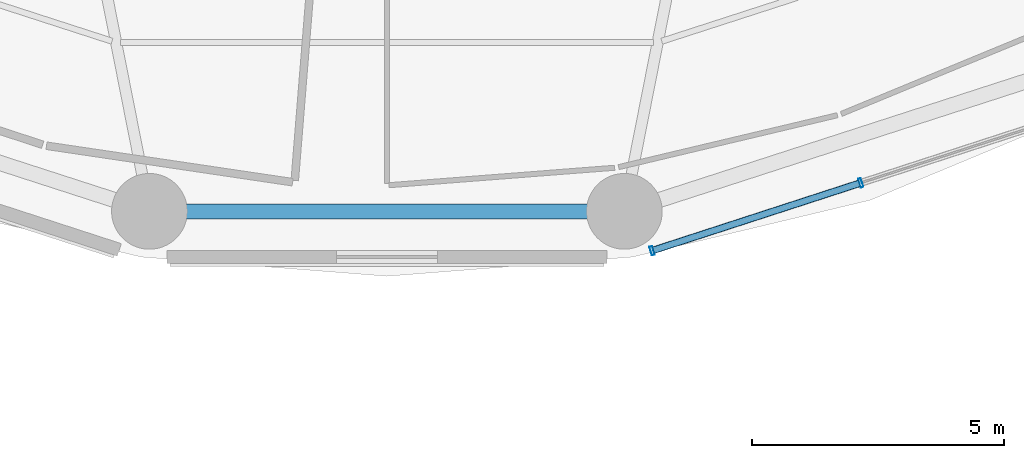
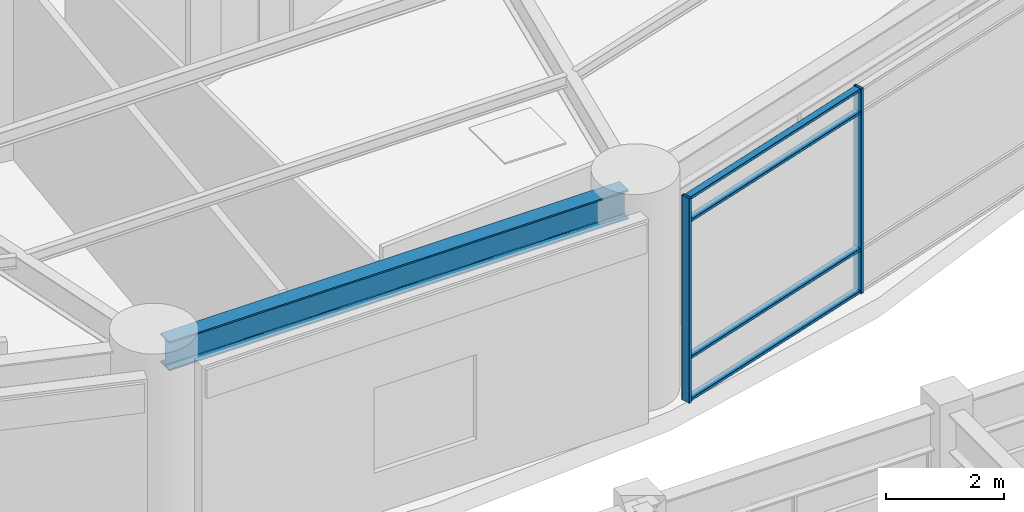
# One storey, part 17 of 46: 6 members, 1 beam, 1 element without a shape of its own.
"""IFC4 building model written with IfcOpenShell, lengths in metres."""

from ifc_helpers import new_model, si_unit, direction, frame, origin, origin_2d, place, context, subcontext, project, spatial, hollow_rectangle, i_section, extrude, material, layer, layer_set, material_profile, profile_set, type_object, element, aggregate, save


model = new_model("IFC4")

# Units and contexts
model_context = context("Model", 3, precision=1e-05, world=origin(), true_north=direction((0.0, 1.0)))
body_context = subcontext(model_context, "Body", "Model", "MODEL_VIEW")
ifc_project = project(units=[si_unit("LENGTHUNIT", "METRE"), si_unit("AREAUNIT", "SQUARE_METRE"), si_unit("VOLUMEUNIT", "CUBIC_METRE"), si_unit("PLANEANGLEUNIT", "RADIAN"), si_unit("MASSUNIT", "GRAM", prefix="KILO")], contexts=[model_context])

# Site, building, storey
site_placement = place(None, origin())
site = spatial("IfcSite", under=ifc_project, at=site_placement, CompositionType="ELEMENT")
building_placement = place(site_placement, origin())
building = spatial("IfcBuilding", under=site, at=building_placement, Name="Kelanora Arch Commons", CompositionType="ELEMENT")
storey_placement = place(building_placement, frame((0.0, 0.0, 18.0)))
storey = spatial("IfcBuildingStorey", under=building, at=storey_placement, Name="L04", CompositionType="ELEMENT", Elevation=18.0)

# Beam
ifc_material_1 = material(Name="Steel S355", Category="steel")
ifc_material_profile_1 = material_profile(ifc_material_1, i_section(OverallWidth=0.300048828125, OverallDepth=0.60009765625, WebThickness=0.015380859375, FlangeThickness=0.030029296875, FilletRadius=0.027099609375, at=origin_2d()), Name="HEB600")
ifc_profile_set_1 = profile_set([ifc_material_profile_1], Name="Steel S355")
beam_type = type_object("IfcBeamType", Name="BM-SPN-Z1", PredefinedType="SPANDREL", material=ifc_profile_set_1)
beam_placement = place(storey_placement, frame((69.517578125, 34.285888671875, 3.93994140625), z_axis=(1.0, 0.0, 0.0), x_axis=(0.0, 1.0, 0.0)))
element("IfcBeam", 1, at=beam_placement, inside=storey, type_object=beam_type, Name="Perimeter Spandrel Beam BS-26 L04", PredefinedType="SPANDREL", context=body_context, shape_type="SweptSolid", body=[
    extrude(i_section(OverallWidth=0.300048828125, OverallDepth=0.60009765625, WebThickness=0.015380859375, FlangeThickness=0.030029296875, FilletRadius=0.027099609375, at=origin_2d()), origin(), (0.0, 0.0, 1.0), 8.96484375),
])

# Curtain wall, members
ifc_material_2 = material(Name="Terracotta ceramic-fritted low-E glass and aluminium", Category="masonry")
ifc_layer = layer(ifc_material_2, 0.2099609375)
ifc_layer_set = layer_set([ifc_layer], Name="Terracotta ceramic-fritted low-E glass and aluminium")
curtain_wall_type = type_object("IfcCurtainWallType", Name="CW-SYS-04", PredefinedType="NOTDEFINED", material=ifc_layer_set)
curtain_wall_placement = place(storey_placement, origin())
curtain_wall = element("IfcCurtainWall", 2, at=curtain_wall_placement, inside=storey, type_object=curtain_wall_type, Name="Unitised Curtain Wall L04-B14", PredefinedType="NOTDEFINED")
ifc_material_3 = material(Name="Powder-coated aluminium terracotta", Category="masonry")
ifc_material_profile_2 = material_profile(ifc_material_3, hollow_rectangle(XDim=0.179931640625, YDim=0.06005859375, WallThickness=0.0048828125, InnerFilletRadius=0.0048828125, OuterFilletRadius=0.010009765625, at=origin_2d()), Name="CWM180x60")
ifc_profile_set_2 = profile_set([ifc_material_profile_2], Name="Powder-coated aluminium terracotta")
member_type_1 = type_object("IfcMemberType", Name="CWM-HVY", PredefinedType="MULLION", material=ifc_profile_set_2)
member_1_placement = place(storey_placement, frame((79.25146484375, 33.50634765625, 0.0), z_axis=(0.0, 0.0, 1.0), x_axis=(-0.309069531911, 0.951039444211, 0.0)))
member_1 = element("IfcMember", 3, at=member_1_placement, type_object=member_type_1, Name="CW-04 mullion 1", PredefinedType="MULLION", context=body_context, shape_type="SweptSolid", body=[
    extrude(hollow_rectangle(XDim=0.179931640625, YDim=0.06005859375, WallThickness=0.0048828125, InnerFilletRadius=0.0048828125, OuterFilletRadius=0.010009765625, at=origin_2d()), origin(), (0.0, 0.0, 1.0), 4.22509765625),
])
member_2_placement = place(storey_placement, frame((83.38330078125, 34.84912109375, 0.0), z_axis=(0.0, 0.0, 1.0), x_axis=(-0.309069531911, 0.951039444211, 0.0)))
member_2 = element("IfcMember", 4, at=member_2_placement, type_object=member_type_1, Name="CW-04 mullion 2", PredefinedType="MULLION", context=body_context, shape_type="SweptSolid", body=[
    extrude(hollow_rectangle(XDim=0.179931640625, YDim=0.06005859375, WallThickness=0.0048828125, InnerFilletRadius=0.0048828125, OuterFilletRadius=0.010009765625, at=origin_2d()), origin(), (0.0, 0.0, 1.0), 4.22509765625),
])
ifc_material_profile_3 = material_profile(ifc_material_3, hollow_rectangle(XDim=0.139892578125, YDim=0.06005859375, WallThickness=0.0048828125, InnerFilletRadius=0.0048828125, OuterFilletRadius=0.010009765625, at=origin_2d()), Name="CWT140x60")
ifc_profile_set_3 = profile_set([ifc_material_profile_3], Name="Powder-coated aluminium terracotta")
member_type_2 = type_object("IfcMemberType", Name="CWT-HVY", PredefinedType="USERDEFINED", material=ifc_profile_set_3)
member_3_placement = place(storey_placement, frame((79.280029296875, 33.515625, 0.030029296875), z_axis=(0.951038256166, 0.309073187624, 0.0), x_axis=(-0.309073187624, 0.951038256166, 0.0)))
member_3 = element("IfcMember", 5, at=member_3_placement, type_object=member_type_2, Name="CW-04 transom 1.1", ObjectType="TRANSOM", PredefinedType="USERDEFINED", context=body_context, shape_type="SweptSolid", body=[
    extrude(hollow_rectangle(XDim=0.139892578125, YDim=0.06005859375, WallThickness=0.0048828125, InnerFilletRadius=0.0048828125, OuterFilletRadius=0.010009765625, at=origin_2d()), origin(), (0.0, 0.0, 1.0), 4.284423828125),
])
member_4_placement = place(storey_placement, frame((79.280029296875, 33.515625, 0.89990234375), z_axis=(0.951038256166, 0.309073187624, 0.0), x_axis=(-0.309073187624, 0.951038256166, 0.0)))
member_4 = element("IfcMember", 6, at=member_4_placement, type_object=member_type_2, Name="CW-04 transom 1.2", ObjectType="TRANSOM", PredefinedType="USERDEFINED", context=body_context, shape_type="SweptSolid", body=[
    extrude(hollow_rectangle(XDim=0.139892578125, YDim=0.06005859375, WallThickness=0.0048828125, InnerFilletRadius=0.0048828125, OuterFilletRadius=0.010009765625, at=origin_2d()), origin(), (0.0, 0.0, 1.0), 4.284423828125),
])
member_5_placement = place(storey_placement, frame((79.280029296875, 33.515625, 3.72509765625), z_axis=(0.951038256166, 0.309073187624, 0.0), x_axis=(-0.309073187624, 0.951038256166, 0.0)))
member_5 = element("IfcMember", 7, at=member_5_placement, type_object=member_type_2, Name="CW-04 transom 1.3", ObjectType="TRANSOM", PredefinedType="USERDEFINED", context=body_context, shape_type="SweptSolid", body=[
    extrude(hollow_rectangle(XDim=0.139892578125, YDim=0.06005859375, WallThickness=0.0048828125, InnerFilletRadius=0.0048828125, OuterFilletRadius=0.010009765625, at=origin_2d()), origin(), (0.0, 0.0, 1.0), 4.284423828125),
])
member_6_placement = place(storey_placement, frame((79.280029296875, 33.515625, 4.195068359375), z_axis=(0.951038256166, 0.309073187624, 0.0), x_axis=(-0.309073187624, 0.951038256166, 0.0)))
member_6 = element("IfcMember", 8, at=member_6_placement, type_object=member_type_2, Name="CW-04 transom 1.4", ObjectType="TRANSOM", PredefinedType="USERDEFINED", context=body_context, shape_type="SweptSolid", body=[
    extrude(hollow_rectangle(XDim=0.139892578125, YDim=0.06005859375, WallThickness=0.0048828125, InnerFilletRadius=0.0048828125, OuterFilletRadius=0.010009765625, at=origin_2d()), origin(), (0.0, 0.0, 1.0), 4.284423828125),
])
aggregate(curtain_wall, [member_1, member_2, member_3, member_4, member_5, member_6])

save(model, "model.ifc")
